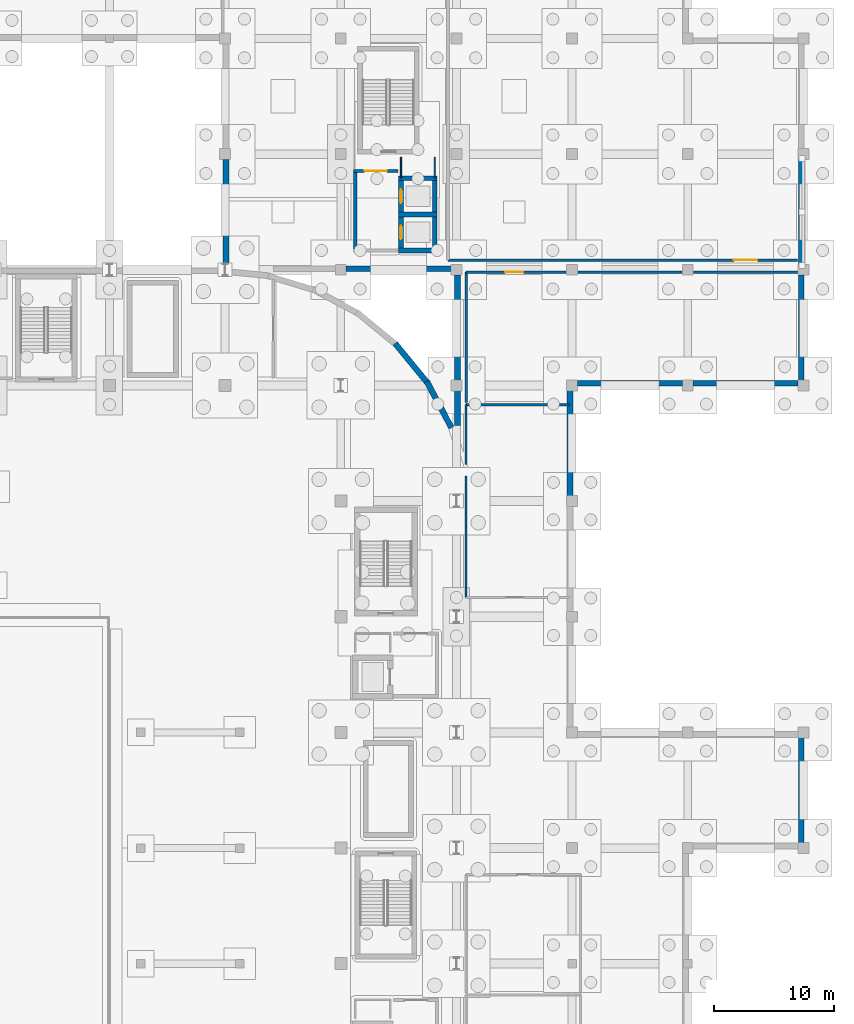
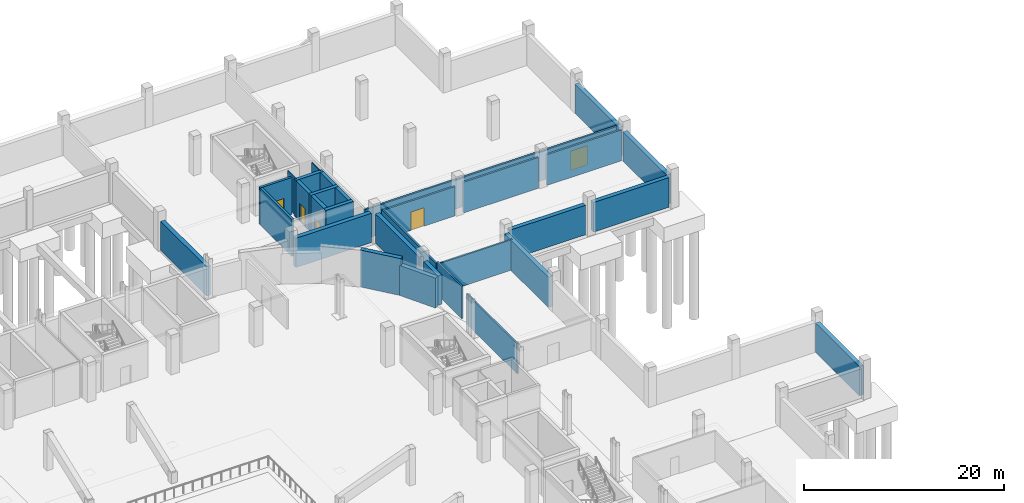
# One storey, part 35 of 67: 31 walls, 5 doors, 5 openings.
"""IFC4 building model written with IfcOpenShell, lengths in metres."""

from ifc_helpers import new_model, si_unit, direction, frame, frame_2d, origin, place, context, subcontext, project, spatial, rectangle, extrude, material, layer, layer_set, type_object, element, fill, save


model = new_model("IFC4")

# Units and contexts
model_context = context("Model", 3, precision=1e-05, world=origin(), true_north=direction((0.0, 1.0)))
body_context = subcontext(model_context, "Body", "Model", "MODEL_VIEW")
ifc_project = project(units=[si_unit("LENGTHUNIT", "METRE"), si_unit("AREAUNIT", "SQUARE_METRE"), si_unit("VOLUMEUNIT", "CUBIC_METRE"), si_unit("PLANEANGLEUNIT", "RADIAN"), si_unit("MASSUNIT", "GRAM", prefix="KILO")], contexts=[model_context])

# Site, building, storey
site_placement = place(None, origin())
site = spatial("IfcSite", under=ifc_project, at=site_placement, CompositionType="ELEMENT")
building_placement = place(site_placement, origin())
building = spatial("IfcBuilding", under=site, at=building_placement, Name="Caelomonte Colonnade Arena", CompositionType="ELEMENT")
storey_placement = place(building_placement, frame((0.0, 0.0, -4.800048828125)))
storey = spatial("IfcBuildingStorey", under=building, at=storey_placement, Name="B1", CompositionType="ELEMENT", Elevation=-4.800048828125)

# Walls
ifc_material_1 = material(Name="Concrete C40/50", Category="concrete")
ifc_layer_1 = layer(ifc_material_1, 0.47998046875)
ifc_layer_set_1 = layer_set([ifc_layer_1], Name="Concrete C40/50")
wall_type_1 = type_object("IfcWallType", Name="ENV-WL-RET48", PredefinedType="USERDEFINED", material=ifc_layer_set_1)
wall_1_placement = place(storey_placement, frame((191.820068359375, 67.6298828125, 0.0), z_axis=(0.0, 0.0, 1.0), x_axis=(0.0, 1.0, 0.0)))
element("IfcWall", 1, at=wall_1_placement, inside=storey, type_object=wall_type_1, Name="B1 exterior retaining plinth wall EW-B1-0036", ObjectType="RETAINING WALL", PredefinedType="USERDEFINED", context=body_context, shape_type="SweptSolid", body=[
    extrude(rectangle(XDim=8.740234375, YDim=0.47998046875, at=frame_2d((4.3701171875, 0.0))), origin(), (0.0, 0.0, 1.0), 3.572998046875),
])
wall_2_placement = place(storey_placement, frame((172.6201171875, 96.429931640625, 0.0), z_axis=(0.0, 0.0, 1.0), x_axis=(0.0, 1.0, 0.0)))
element("IfcWall", 2, at=wall_2_placement, inside=storey, type_object=wall_type_1, Name="B1 exterior retaining plinth wall EW-B1-0041", ObjectType="RETAINING WALL", PredefinedType="USERDEFINED", context=body_context, shape_type="SweptSolid", body=[
    extrude(rectangle(XDim=8.739990234375, YDim=0.47998046875, at=frame_2d((4.3701171875, 0.0))), origin(), (0.0, 0.0, 1.0), 3.699951171875),
])
for number, where, z_axis, x_axis, name in (
    (3, (173.22998046875, 105.780029296875, 0.0), (0.0, 0.0, 1.0), (1.0, 0.0, 0.0), "B1 exterior retaining plinth wall EW-B1-0042"),
    (4, (182.830078125, 105.780029296875, 0.0), (0.0, 0.0, 1.0), (1.0, 0.0, 0.0), "B1 exterior retaining plinth wall EW-B1-0043"),
):
    element("IfcWall", number, at=place(storey_placement, frame(where, z_axis=z_axis, x_axis=x_axis)), inside=storey, type_object=wall_type_1, Name=name, ObjectType="RETAINING WALL", PredefinedType="USERDEFINED", context=body_context, shape_type="SweptSolid", body=[
        extrude(rectangle(XDim=8.739990234375, YDim=0.47998046875, at=frame_2d((4.3701171875, 0.0))), origin(), (0.0, 0.0, 1.0), 3.60009765625),
    ])
wall_3_placement = place(storey_placement, frame((191.820068359375, 106.030029296875, 0.0), z_axis=(0.0, 0.0, 1.0), x_axis=(0.0, 1.0, 0.0)))
element("IfcWall", 5, at=wall_3_placement, inside=storey, type_object=wall_type_1, Name="B1 exterior retaining plinth wall EW-B1-0044", ObjectType="RETAINING WALL", PredefinedType="USERDEFINED", context=body_context, shape_type="SweptSolid", body=[
    extrude(rectangle(XDim=8.739990234375, YDim=0.47998046875, at=frame_2d((4.3701171875, 0.0))), origin(), (0.0, 0.0, 1.0), 3.572998046875),
])
wall_4_placement = place(storey_placement, frame((191.820068359375, 115.6298828125, 0.0), z_axis=(0.0, 0.0, 1.0), x_axis=(0.0, 1.0, 0.0)))
element("IfcWall", 6, at=wall_4_placement, inside=storey, type_object=wall_type_1, Name="B1 exterior retaining plinth wall EW-B1-0045", ObjectType="RETAINING WALL", PredefinedType="USERDEFINED", context=body_context, shape_type="SweptSolid", body=[
    extrude(rectangle(XDim=8.740234375, YDim=0.47998046875, at=frame_2d((4.3701171875, 0.0))), origin(), (0.0, 0.0, 1.0), 3.572998046875),
])
wall_5_placement = place(storey_placement, frame((144.080078125, 124.3701171875, 0.0), z_axis=(0.0, 0.0, 1.0), x_axis=(0.0, -1.0, 0.0)))
element("IfcWall", 7, at=wall_5_placement, inside=storey, type_object=wall_type_1, Name="B1 exterior retaining plinth wall EW-B1-0092", ObjectType="RETAINING WALL", PredefinedType="USERDEFINED", context=body_context, shape_type="SweptSolid", body=[
    extrude(rectangle(XDim=9.170166015625, YDim=0.47998046875, at=frame_2d((4.5849609375, 0.0))), origin(), (0.0, 0.0, 1.0), 3.572998046875),
])
for number, where, z_axis, x_axis, name in (
    (8, (154.030029296875, 115.280029296875, 0.0), (0.0, 0.0, 1.0), (1.0, 0.0, 0.0), "B1 exterior retaining plinth wall EW-B1-0094"),
    (9, (163.280029296875, 114.77001953125, 0.0), (0.0, 0.0, 1.0), (0.0, -1.0, 0.0), "B1 exterior retaining plinth wall EW-B1-0095"),
):
    element("IfcWall", number, at=place(storey_placement, frame(where, z_axis=z_axis, x_axis=x_axis)), inside=storey, type_object=wall_type_1, Name=name, ObjectType="RETAINING WALL", PredefinedType="USERDEFINED", context=body_context, shape_type="SweptSolid", body=[
        extrude(rectangle(XDim=8.739990234375, YDim=0.47998046875, at=frame_2d((4.3701171875, 0.0))), origin(), (0.0, 0.0, 1.0), 3.572998046875),
    ])
wall_6_placement = place(storey_placement, frame((163.280029296875, 105.169921875, 0.0), z_axis=(0.0, 0.0, 1.0), x_axis=(0.0, -1.0, 0.0)))
element("IfcWall", 10, at=wall_6_placement, inside=storey, type_object=wall_type_1, Name="B1 exterior retaining plinth wall EW-B1-0096", ObjectType="RETAINING WALL", PredefinedType="USERDEFINED", context=body_context, shape_type="SweptSolid", body=[
    extrude(rectangle(XDim=2.8955078125, YDim=0.47998046875, at=frame_2d((1.44775390625, 0.0))), origin(), (0.0, 0.0, 1.0), 3.572998046875),
])
wall_7_placement = place(storey_placement, frame((162.78759765625, 102.093017578125, 0.0), z_axis=(0.0, 0.0, 1.0), x_axis=(-0.47141409565, 0.881911985644, 0.0)))
element("IfcWall", 11, at=wall_7_placement, inside=storey, type_object=wall_type_1, Name="B1 exterior retaining plinth wall EW-B1-0097", ObjectType="RETAINING WALL", PredefinedType="USERDEFINED", context=body_context, shape_type="SweptSolid", body=[
    extrude(rectangle(XDim=4.3564453125, YDim=0.47998046875, at=frame_2d((2.17822265625, 0.0))), origin(), (0.0, 0.0, 1.0), 3.654296875),
])
wall_8_placement = place(storey_placement, frame((160.875244140625, 105.723388671875, 0.0), z_axis=(0.0, 0.0, 1.0), x_axis=(-0.63441792995, 0.772990226431, 0.0)))
element("IfcWall", 12, at=wall_8_placement, inside=storey, type_object=wall_type_1, Name="B1 exterior retaining plinth wall EW-B1-0098", ObjectType="RETAINING WALL", PredefinedType="USERDEFINED", context=body_context, shape_type="SweptSolid", body=[
    extrude(rectangle(XDim=4.35693359375, YDim=0.47998046875, at=frame_2d((2.178466796875, 0.0))), origin(), (0.0, 0.0, 1.0), 4.5),
])

# Wall, opening, door
ifc_layer_2 = layer(ifc_material_1, 0.260009765625)
ifc_layer_set_2 = layer_set([ifc_layer_2], Name="Concrete C40/50")
wall_type_2 = type_object("IfcWallType", Name="INT-WL-FW26", PredefinedType="SOLIDWALL", material=ifc_layer_set_2)
wall_9_placement = place(storey_placement, frame((158.330078125, 123.39990234375, 0.0), z_axis=(0.0, 0.0, 1.0), x_axis=(-1.0, 0.0, 0.0)))
wall_9 = element("IfcWall", 13, at=wall_9_placement, inside=storey, type_object=wall_type_2, Name="FW-C6-LB B1 north enclosure wall", PredefinedType="SOLIDWALL", context=body_context, shape_type="SweptSolid", body=[
    extrude(rectangle(XDim=3.66015625, YDim=0.260009765625, at=frame_2d((1.830078125, 0.0))), origin(), (0.0, 0.0, 1.0), 4.5),
])
opening_1_placement = place(wall_9_placement, frame((2.755126953125, 0.0, 0.0), z_axis=(0.0, 0.0, 1.0), x_axis=(-1.0, 0.0, 0.0)))
opening_1 = element("IfcOpeningElement", 14, at=opening_1_placement, cuts=wall_9, Name="Opening FD-2", PredefinedType="OPENING", context=body_context, shape_type="SweptSolid", body=[
    extrude(rectangle(XDim=1.85009765625, YDim=2.25, at=frame_2d((0.925048828125, 1.125))), frame((0.0, 0.139892578125, 0.0), z_axis=(0.0, -1.0, 0.0), x_axis=(1.0, 0.0, 0.0)), (0.0, 0.0, 1.0), 0.280029296875),
])
ifc_material_2 = material(Name="Fire-rated double steel door", Category="steel")
door_type_1 = type_object("IfcDoorType", Name="INT-DR-FD90B", OperationType="DOUBLE_DOOR_SINGLE_SWING", PredefinedType="DOOR", material=ifc_material_2)
door_1_placement = place(opening_1_placement, origin())
door_1 = element("IfcDoor", 15, at=door_1_placement, inside=storey, type_object=door_type_1, Name="Core C6 B1 lobby fire door", OperationType="DOUBLE_DOOR_SINGLE_SWING", OverallHeight=2.25, OverallWidth=1.85009765625, PredefinedType="DOOR", context=body_context, shape_type="SweptSolid", body=[
    extrude(rectangle(XDim=1.85009765625, YDim=2.25, at=frame_2d((0.925048828125, 1.125))), frame((0.0, 0.02490234375, 0.0), z_axis=(0.0, -1.0, 0.0), x_axis=(1.0, 0.0, 0.0)), (0.0, 0.0, 1.0), 0.050048828125),
])
fill(opening_1, door_1)

# Walls
wall_10_placement = place(storey_placement, frame((154.800048828125, 123.27001953125, 0.0), z_axis=(0.0, 0.0, 1.0), x_axis=(0.0, -1.0, 0.0)))
element("IfcWall", 16, at=wall_10_placement, inside=storey, type_object=wall_type_2, Name="FW-C6-LB B1 west enclosure wall", PredefinedType="SOLIDWALL", context=body_context, shape_type="SweptSolid", body=[
    extrude(rectangle(XDim=6.340087890625, YDim=0.260009765625, at=frame_2d((3.169921875, 0.0))), origin(), (0.0, 0.0, 1.0), 4.5),
])
ifc_material_3 = material(Name="Service shaft lining partition")
ifc_layer_3 = layer(ifc_material_3, 0.10009765625)
ifc_layer_set_3 = layer_set([ifc_layer_3], Name="Service shaft lining partition")
wall_type_3 = type_object("IfcWallType", Name="INT-WL-PT10", PredefinedType="PARTITIONING", material=ifc_layer_set_3)
for number, where, z_axis, x_axis, name in (
    (17, (158.60009765625, 124.550048828125, 0.0), (0.0, 0.0, 1.0), (0.0, -1.0, 0.0), "FW-C6-RS B1 west enclosure wall"),
    (18, (161.39990234375, 122.85009765625, 0.0), (0.0, 0.0, 1.0), (0.0, 1.0, 0.0), "FW-C6-RS B1 east enclosure wall"),
):
    element("IfcWall", number, at=place(storey_placement, frame(where, z_axis=z_axis, x_axis=x_axis)), inside=storey, type_object=wall_type_3, Name=name, PredefinedType="PARTITIONING", context=body_context, shape_type="SweptSolid", body=[
        extrude(rectangle(XDim=1.699951171875, YDim=0.10009765625, at=frame_2d((0.85009765625, 0.0))), origin(), (0.0, 0.0, 1.0), 4.5),
    ])
ifc_material_4 = material(Name="Acoustic gypsum stud partition")
ifc_layer_4 = layer(ifc_material_4, 0.179931640625)
ifc_layer_set_4 = layer_set([ifc_layer_4], Name="Acoustic gypsum stud partition")
wall_type_4 = type_object("IfcWallType", Name="INT-WL-PT18", PredefinedType="PARTITIONING", material=ifc_layer_set_4)
wall_11_placement = place(storey_placement, frame((164.0, 88.0, 0.0), z_axis=(0.0, 0.0, 1.0), x_axis=(0.0, 1.0, 0.0)))
element("IfcWall", 19, at=wall_11_placement, inside=storey, type_object=wall_type_4, Name="B1 Event First Aid Clinic partition 29", PredefinedType="PARTITIONING", context=body_context, shape_type="SweptSolid", body=[
    extrude(rectangle(XDim=10.0771484375, YDim=0.179931640625, at=frame_2d((5.03857421875, 0.0))), origin(), (0.0, 0.0, 1.0), 3.654296875),
])
wall_12_placement = place(storey_placement, frame((164.0, 99.043212890625, 0.0), z_axis=(0.0, 0.0, 1.0), x_axis=(0.0, 1.0, 0.0)))
element("IfcWall", 20, at=wall_12_placement, inside=storey, type_object=wall_type_4, Name="B1 Event First Aid Clinic partition 30", PredefinedType="PARTITIONING", context=body_context, shape_type="SweptSolid", body=[
    extrude(rectangle(XDim=4.956787109375, YDim=0.179931640625, at=frame_2d((2.478515625, 0.0))), origin(), (0.0, 0.0, 1.0), 3.966552734375),
])
wall_13_placement = place(storey_placement, frame((164.0, 104.0, 0.0), z_axis=(0.0, 0.0, 1.0), x_axis=(1.0, 0.0, 0.0)))
element("IfcWall", 21, at=wall_13_placement, inside=storey, type_object=wall_type_4, Name="B1 Event First Aid Clinic partition 31", PredefinedType="PARTITIONING", context=body_context, shape_type="SweptSolid", body=[
    extrude(rectangle(XDim=8.580078125, YDim=0.179931640625, at=frame_2d((4.2900390625, 0.0))), origin(), (0.0, 0.0, 1.0), 3.699951171875),
])
ifc_material_5 = material(Name="Fire-rated gypsum stud partition")
ifc_layer_5 = layer(ifc_material_5, 0.199951171875)
ifc_layer_set_5 = layer_set([ifc_layer_5], Name="Fire-rated gypsum stud partition")
wall_type_5 = type_object("IfcWallType", Name="INT-WL-PT20", PredefinedType="PARTITIONING", material=ifc_layer_set_5)
wall_14_placement = place(storey_placement, frame((164.0, 104.199951171875, 0.0), z_axis=(0.0, 0.0, 1.0), x_axis=(0.0, 1.0, 0.0)))
element("IfcWall", 22, at=wall_14_placement, inside=storey, type_object=wall_type_5, Name="B1 Courtside Club Lounge partition 32", PredefinedType="PARTITIONING", context=body_context, shape_type="SweptSolid", body=[
    extrude(rectangle(XDim=10.800048828125, YDim=0.199951171875, at=frame_2d((5.39990234375, 0.0))), origin(), (0.0, 0.0, 1.0), 3.654296875),
])

# Wall, opening, door
wall_15_placement = place(storey_placement, frame((164.0, 115.0, 0.0), z_axis=(0.0, 0.0, 1.0), x_axis=(1.0, 0.0, 0.0)))
wall_15 = element("IfcWall", 23, at=wall_15_placement, inside=storey, type_object=wall_type_5, Name="B1 Courtside Club Lounge partition 33", PredefinedType="PARTITIONING", context=body_context, shape_type="SweptSolid", body=[
    extrude(rectangle(XDim=8.31494140625, YDim=0.199951171875, at=frame_2d((4.157470703125, 0.0))), origin(), (0.0, 0.0, 1.0), 3.572998046875),
])
opening_2_placement = place(wall_15_placement, frame((3.25, 0.0, 0.0), z_axis=(0.0, 0.0, 1.0), x_axis=(1.0, 0.0, 0.0)))
opening_2 = element("IfcOpeningElement", 24, at=opening_2_placement, cuts=wall_15, Name="Opening D-B1-008", PredefinedType="OPENING", context=body_context, shape_type="SweptSolid", body=[
    extrude(rectangle(XDim=1.5, YDim=2.25, at=frame_2d((0.75, 1.125))), frame((0.0, 0.10986328125, 0.0), z_axis=(0.0, -1.0, 0.0), x_axis=(1.0, 0.0, 0.0)), (0.0, 0.0, 1.0), 0.219970703125),
])
ifc_material_6 = material(Name="Hardwood double club lounge door", Category="wood")
door_type_2 = type_object("IfcDoorType", Name="INT-DR-SU2", OperationType="DOUBLE_DOOR_SINGLE_SWING", PredefinedType="DOOR", material=ifc_material_6)
door_2_placement = place(opening_2_placement, origin())
door_2 = element("IfcDoor", 25, at=door_2_placement, inside=storey, type_object=door_type_2, Name="B1 Courtside Club Lounge door D-B1-008", OperationType="DOUBLE_DOOR_SINGLE_SWING", OverallHeight=2.25, OverallWidth=1.5, PredefinedType="DOOR", context=body_context, shape_type="SweptSolid", body=[
    extrude(rectangle(XDim=1.5, YDim=2.25, at=frame_2d((0.75, 1.125))), frame((0.0, 0.02490234375, 0.0), z_axis=(0.0, -1.0, 0.0), x_axis=(1.0, 0.0, 0.0)), (0.0, 0.0, 1.0), 0.050048828125),
])
fill(opening_2, door_2)

# Walls
wall_16_placement = place(storey_placement, frame((173.284912109375, 115.0, 0.0), z_axis=(0.0, 0.0, 1.0), x_axis=(1.0, 0.0, 0.0)))
element("IfcWall", 26, at=wall_16_placement, inside=storey, type_object=wall_type_5, Name="B1 Courtside Club Lounge partition 34", PredefinedType="PARTITIONING", context=body_context, shape_type="SweptSolid", body=[
    extrude(rectangle(XDim=8.630126953125, YDim=0.199951171875, at=frame_2d((4.31494140625, 0.0))), origin(), (0.0, 0.0, 1.0), 3.75),
])
wall_17_placement = place(storey_placement, frame((182.885009765625, 115.0, 0.0), z_axis=(0.0, 0.0, 1.0), x_axis=(1.0, 0.0, 0.0)))
element("IfcWall", 27, at=wall_17_placement, inside=storey, type_object=wall_type_5, Name="B1 Courtside Club Lounge partition 35", PredefinedType="PARTITIONING", context=body_context, shape_type="SweptSolid", body=[
    extrude(rectangle(XDim=8.614990234375, YDim=0.199951171875, at=frame_2d((4.3076171875, 0.0))), origin(), (0.0, 0.0, 1.0), 3.75),
])

# Wall, opening, door
ifc_material_7 = material(Name="Acoustic masonry blockwork", Category="masonry")
ifc_layer_6 = layer(ifc_material_7, 0.219970703125)
ifc_layer_set_6 = layer_set([ifc_layer_6], Name="Acoustic masonry blockwork")
wall_type_6 = type_object("IfcWallType", Name="INT-WL-PT22", PredefinedType="PARTITIONING", material=ifc_layer_set_6)
wall_18_placement = place(storey_placement, frame((191.5, 116.0, 0.0), z_axis=(0.0, 0.0, 1.0), x_axis=(-1.0, 0.0, 0.0)))
wall_18 = element("IfcWall", 28, at=wall_18_placement, inside=storey, type_object=wall_type_6, Name="B1 Central Chiller Plant partition 42", PredefinedType="PARTITIONING", context=body_context, shape_type="SweptSolid", body=[
    extrude(rectangle(XDim=29.0, YDim=0.219970703125, at=frame_2d((14.5, 0.0))), origin(), (0.0, 0.0, 1.0), 3.572998046875),
])
opening_3_placement = place(wall_18_placement, frame((3.324951171875, 0.0, 0.0), z_axis=(0.0, 0.0, 1.0), x_axis=(1.0, 0.0, 0.0)))
opening_3 = element("IfcOpeningElement", 29, at=opening_3_placement, cuts=wall_18, Name="Opening D-B1-012", PredefinedType="OPENING", context=body_context, shape_type="SweptSolid", body=[
    extrude(rectangle(XDim=1.949951171875, YDim=2.35009765625, at=frame_2d((0.97509765625, 1.175048828125))), frame((0.0, 0.119873046875, 0.0), z_axis=(0.0, -1.0, 0.0), x_axis=(1.0, 0.0, 0.0)), (0.0, 0.0, 1.0), 0.239990234375),
])
ifc_material_8 = material(Name="Double hollow-metal plant room door")
door_type_3 = type_object("IfcDoorType", Name="INT-DR-PLT", OperationType="DOUBLE_DOOR_SINGLE_SWING", PredefinedType="DOOR", material=ifc_material_8)
door_3_placement = place(opening_3_placement, origin())
door_3 = element("IfcDoor", 30, at=door_3_placement, inside=storey, type_object=door_type_3, Name="B1 Central Chiller Plant door D-B1-012", OperationType="DOUBLE_DOOR_SINGLE_SWING", OverallHeight=2.35009765625, OverallWidth=1.949951171875, PredefinedType="DOOR", context=body_context, shape_type="SweptSolid", body=[
    extrude(rectangle(XDim=1.949951171875, YDim=2.35009765625, at=frame_2d((0.97509765625, 1.175048828125))), frame((0.0, 0.02490234375, 0.0), z_axis=(0.0, -1.0, 0.0), x_axis=(1.0, 0.0, 0.0)), (0.0, 0.0, 1.0), 0.050048828125),
])
fill(opening_3, door_3)

# Walls
ifc_material_9 = material(Name="Concrete C50/60", Category="concrete")
ifc_layer_7 = layer(ifc_material_9, 0.39990234375)
ifc_layer_set_7 = layer_set([ifc_layer_7], Name="Concrete C50/60")
wall_type_7 = type_object("IfcWallType", Name="INT-WL-SH40", PredefinedType="SHEAR", material=ifc_layer_set_7)
for number, where, z_axis, x_axis, name in (
    (31, (158.39990234375, 116.800048828125, 0.0), (0.0, 0.0, 1.0), (1.0, 0.0, 0.0), "CW-C6-LF B1 south enclosure wall"),
    (32, (161.60009765625, 119.800048828125, 0.0), (0.0, 0.0, 1.0), (-1.0, 0.0, 0.0), "CW-C6-LF B1 north enclosure wall"),
):
    element("IfcWall", number, at=place(storey_placement, frame(where, z_axis=z_axis, x_axis=x_axis)), inside=storey, type_object=wall_type_7, Name=name, PredefinedType="SHEAR", context=body_context, shape_type="SweptSolid", body=[
        extrude(rectangle(XDim=3.2001953125, YDim=0.39990234375, at=frame_2d((1.60009765625, 0.0))), origin(), (0.0, 0.0, 1.0), 4.5),
    ])

# Wall, opening, door
wall_19_placement = place(storey_placement, frame((158.60009765625, 119.60009765625, 0.0), z_axis=(0.0, 0.0, 1.0), x_axis=(0.0, -1.0, 0.0)))
wall_19 = element("IfcWall", 33, at=wall_19_placement, inside=storey, type_object=wall_type_7, Name="CW-C6-LF B1 west enclosure wall", PredefinedType="SHEAR", context=body_context, shape_type="SweptSolid", body=[
    extrude(rectangle(XDim=2.60009765625, YDim=0.39990234375, at=frame_2d((1.300048828125, 0.0))), origin(), (0.0, 0.0, 1.0), 4.5),
])
opening_4_placement = place(wall_19_placement, frame((0.72509765625, 0.0, 0.0), z_axis=(0.0, 0.0, 1.0), x_axis=(1.0, 0.0, 0.0)))
opening_4 = element("IfcOpeningElement", 34, at=opening_4_placement, cuts=wall_19, Name="Opening LD-LF-03-B1", PredefinedType="OPENING", context=body_context, shape_type="SweptSolid", body=[
    extrude(rectangle(XDim=1.14990234375, YDim=2.199951171875, at=frame_2d((0.574951171875, 1.10009765625))), frame((0.0, 0.2099609375, 0.0), z_axis=(0.0, -1.0, 0.0), x_axis=(1.0, 0.0, 0.0)), (0.0, 0.0, 1.0), 0.419921875),
])
ifc_material_10 = material(Name="Stainless steel lift landing door", Category="steel")
door_type_4 = type_object("IfcDoorType", Name="INT-DR-LD1", OperationType="SLIDING_TO_LEFT", PredefinedType="DOOR", material=ifc_material_10)
door_4_placement = place(opening_4_placement, origin())
door_4 = element("IfcDoor", 35, at=door_4_placement, inside=storey, type_object=door_type_4, Name="Lift LF-03 B1 sliding landing door", OperationType="SLIDING_TO_LEFT", OverallHeight=2.199951171875, OverallWidth=1.14990234375, PredefinedType="DOOR", context=body_context, shape_type="SweptSolid", body=[
    extrude(rectangle(XDim=1.14990234375, YDim=2.199951171875, at=frame_2d((0.574951171875, 1.10009765625))), frame((0.0, 0.02490234375, 0.0), z_axis=(0.0, -1.0, 0.0), x_axis=(1.0, 0.0, 0.0)), (0.0, 0.0, 1.0), 0.050048828125),
])
fill(opening_4, door_4)

# Walls
wall_20_placement = place(storey_placement, frame((161.39990234375, 117.0, 0.0), z_axis=(0.0, 0.0, 1.0), x_axis=(0.0, 1.0, 0.0)))
element("IfcWall", 36, at=wall_20_placement, inside=storey, type_object=wall_type_7, Name="CW-C6-LF B1 east enclosure wall", PredefinedType="SHEAR", context=body_context, shape_type="SweptSolid", body=[
    extrude(rectangle(XDim=2.60009765625, YDim=0.39990234375, at=frame_2d((1.300048828125, 0.0))), origin(), (0.0, 0.0, 1.0), 4.5),
])
wall_21_placement = place(storey_placement, frame((161.60009765625, 122.800048828125, 0.0), z_axis=(0.0, 0.0, 1.0), x_axis=(-1.0, 0.0, 0.0)))
element("IfcWall", 37, at=wall_21_placement, inside=storey, type_object=wall_type_7, Name="CW-C6-LF2 B1 north enclosure wall", PredefinedType="SHEAR", context=body_context, shape_type="SweptSolid", body=[
    extrude(rectangle(XDim=3.2001953125, YDim=0.39990234375, at=frame_2d((1.60009765625, 0.0))), origin(), (0.0, 0.0, 1.0), 4.5),
])

# Wall, opening, door
wall_22_placement = place(storey_placement, frame((158.60009765625, 122.60009765625, 0.0), z_axis=(0.0, 0.0, 1.0), x_axis=(0.0, -1.0, 0.0)))
wall_22 = element("IfcWall", 38, at=wall_22_placement, inside=storey, type_object=wall_type_7, Name="CW-C6-LF2 B1 west enclosure wall", PredefinedType="SHEAR", context=body_context, shape_type="SweptSolid", body=[
    extrude(rectangle(XDim=2.60009765625, YDim=0.39990234375, at=frame_2d((1.300048828125, 0.0))), origin(), (0.0, 0.0, 1.0), 4.5),
])
opening_5_placement = place(wall_22_placement, frame((0.72509765625, 0.0, 0.0), z_axis=(0.0, 0.0, 1.0), x_axis=(1.0, 0.0, 0.0)))
opening_5 = element("IfcOpeningElement", 39, at=opening_5_placement, cuts=wall_22, Name="Opening LD-LF-04-B1", PredefinedType="OPENING", context=body_context, shape_type="SweptSolid", body=[
    extrude(rectangle(XDim=1.14990234375, YDim=2.199951171875, at=frame_2d((0.574951171875, 1.10009765625))), frame((0.0, 0.2099609375, 0.0), z_axis=(0.0, -1.0, 0.0), x_axis=(1.0, 0.0, 0.0)), (0.0, 0.0, 1.0), 0.419921875),
])
door_5_placement = place(opening_5_placement, origin())
door_5 = element("IfcDoor", 40, at=door_5_placement, inside=storey, type_object=door_type_4, Name="Lift LF-04 B1 sliding landing door", OperationType="SLIDING_TO_LEFT", OverallHeight=2.199951171875, OverallWidth=1.14990234375, PredefinedType="DOOR", context=body_context, shape_type="SweptSolid", body=[
    extrude(rectangle(XDim=1.14990234375, YDim=2.199951171875, at=frame_2d((0.574951171875, 1.10009765625))), frame((0.0, 0.02490234375, 0.0), z_axis=(0.0, -1.0, 0.0), x_axis=(1.0, 0.0, 0.0)), (0.0, 0.0, 1.0), 0.050048828125),
])
fill(opening_5, door_5)

# Wall
wall_23_placement = place(storey_placement, frame((161.39990234375, 120.0, 0.0), z_axis=(0.0, 0.0, 1.0), x_axis=(0.0, 1.0, 0.0)))
element("IfcWall", 41, at=wall_23_placement, inside=storey, type_object=wall_type_7, Name="CW-C6-LF2 B1 east enclosure wall", PredefinedType="SHEAR", context=body_context, shape_type="SweptSolid", body=[
    extrude(rectangle(XDim=2.60009765625, YDim=0.39990234375, at=frame_2d((1.300048828125, 0.0))), origin(), (0.0, 0.0, 1.0), 4.5),
])

save(model, "model.ifc")
